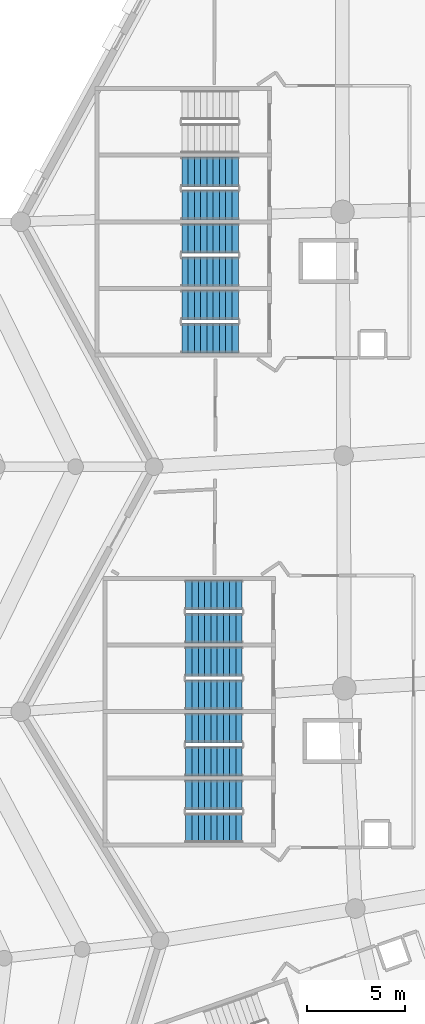
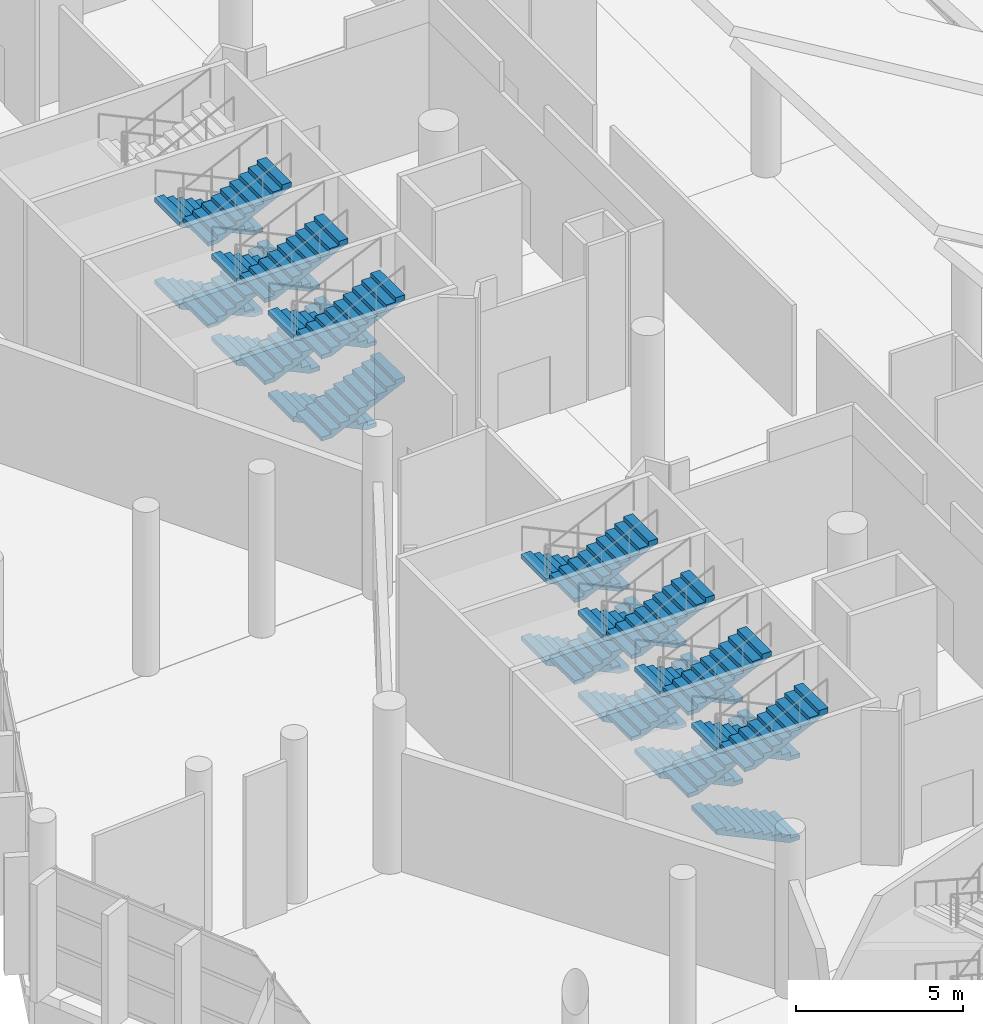
# One storey, part 185 of 249: 27 stair flights, 7 elements without a shape of their own.
"""IFC4 building model written with IfcOpenShell, lengths in metres."""

import ifcopenshell
import ifcopenshell.guid

model = None  # the IFC model being written
_history = None  # IfcOwnerHistory: only IFC2X3 demands one
_inside = {}  # id of a spatial element -> (the spatial element, [elements in it])
_under = {}  # id of a project, library or spatial element -> (it, [spatial elements below it])
_declared = {}  # id of a project -> (the project, [libraries it declares])
_typed = {}  # id of a type object -> (the type object, [elements of that type])
_made_of = {}  # id of a material, layer set ... -> (it, [elements and type objects made of it])


def new_model(schema):
    """Start an empty IFC model of exactly this schema.

    Asked for "IFC4X3", IfcOpenShell would pick the latest addendum, in which some entities
    have other attributes; the version numbers below select the first issue.
    IFC2X3 requires an IfcOwnerHistory on every rooted entity: one is made here for all.
    """
    global model, _history
    if schema == "IFC4X3":
        model = ifcopenshell.file(schema_version=(4, 3, 0, 0))
    else:
        model = ifcopenshell.file(schema=schema)
    _inside.clear()
    _under.clear()
    _declared.clear()
    _typed.clear()
    _made_of.clear()
    _history = None
    if model.schema == "IFC2X3":
        org = make("IfcOrganization", Name="unknown")
        user = make(
            "IfcPersonAndOrganization",
            ThePerson=make("IfcPerson", FamilyName="unknown"),
            TheOrganization=org,
        )
        app = make(
            "IfcApplication",
            ApplicationDeveloper=org,
            Version="unknown",
            ApplicationFullName="unknown",
            ApplicationIdentifier="unknown",
        )
        _history = make(
            "IfcOwnerHistory",
            OwningUser=user,
            OwningApplication=app,
            ChangeAction="ADDED",
            CreationDate=0,
        )
    return model


def make(cls, **values):
    """One entity of the class cls with the attributes given. An attribute that is None is left unset."""
    return model.create_entity(
        cls, **{name: value for name, value in values.items() if value is not None}
    )


def rooted(cls, **values):
    """An entity with a GlobalId (a new one), such as an element, a storey or a relation."""
    return make(cls, GlobalId=ifcopenshell.guid.new(), OwnerHistory=_history, **values)


def si_unit(unit_type, name, prefix=None):
    """IfcSIUnit, for example si_unit("LENGTHUNIT", "METRE", prefix="MILLI")."""
    return make("IfcSIUnit", UnitType=unit_type, Prefix=prefix, Name=name)


def assignment(units):
    """IfcUnitAssignment: the units of a project."""
    return None if units is None else make("IfcUnitAssignment", Units=units)


def point(xyz):
    """IfcCartesianPoint."""
    return None if xyz is None else make("IfcCartesianPoint", Coordinates=xyz)


def direction(xyz):
    """IfcDirection."""
    return None if xyz is None else make("IfcDirection", DirectionRatios=xyz)


def frame(location, z_axis=None, x_axis=None):
    """IfcAxis2Placement3D, a coordinate frame: its origin and axes. An axis left out is left unset."""
    return make(
        "IfcAxis2Placement3D",
        Location=point(location),
        Axis=direction(z_axis),
        RefDirection=direction(x_axis),
    )


def origin():
    """The frame at (0, 0, 0) with its axes left unset."""
    return frame((0.0, 0.0, 0.0))


def place(relative_to, where):
    """IfcLocalPlacement: puts the frame where relative to a parent placement (None: the world)."""
    return make(
        "IfcLocalPlacement", PlacementRelTo=relative_to, RelativePlacement=where
    )


def context(
    kind, dimensions, precision=None, world=None, true_north=None, identifier=None
):
    """IfcGeometricRepresentationContext, for example the 3D "Model" context."""
    return make(
        "IfcGeometricRepresentationContext",
        ContextIdentifier=identifier,
        ContextType=kind,
        CoordinateSpaceDimension=dimensions,
        Precision=precision,
        WorldCoordinateSystem=world,
        TrueNorth=true_north,
    )


def subcontext(parent, identifier, kind, view, scale=None):
    """IfcGeometricRepresentationSubContext, for example "Body" below "Model"."""
    return make(
        "IfcGeometricRepresentationSubContext",
        ContextIdentifier=identifier,
        ContextType=kind,
        ParentContext=parent,
        TargetScale=scale,
        TargetView=view,
    )


def project(units=None, contexts=None):
    """IfcProject with its units and contexts."""
    return rooted(
        "IfcProject",
        Name="project",
        RepresentationContexts=contexts,
        UnitsInContext=assignment(units),
    )


def spatial(cls, under=None, at=None, **own):
    """A site, building, storey or space (cls), placed at a placement, below another one or the project."""
    s = rooted(cls, ObjectPlacement=at, **own)
    if under is not None:
        _under.setdefault(under.id(), (under, []))[1].append(s)
    return s


def polyline(points):
    """IfcPolyline through the points."""
    return make("IfcPolyline", Points=[point(p) for p in points])


def outline(outer, holes=None, kind="AREA"):
    """IfcArbitraryClosedProfileDef: a profile drawn as a closed curve; with holes, ...WithVoids."""
    if holes is None:
        return make("IfcArbitraryClosedProfileDef", ProfileType=kind, OuterCurve=outer)
    return make(
        "IfcArbitraryProfileDefWithVoids",
        ProfileType=kind,
        OuterCurve=outer,
        InnerCurves=holes,
    )


def extrude(swept, where, along, depth):
    """IfcExtrudedAreaSolid: the profile swept, set in the frame where, extruded along a direction by depth."""
    return make(
        "IfcExtrudedAreaSolid",
        SweptArea=swept,
        Position=where,
        ExtrudedDirection=direction(along),
        Depth=depth,
    )


def shape(context_of_items, identifier, shape_type, items):
    """IfcShapeRepresentation: the items that make up one representation, for example the "Body"."""
    return make(
        "IfcShapeRepresentation",
        ContextOfItems=context_of_items,
        RepresentationIdentifier=identifier,
        RepresentationType=shape_type,
        Items=items,
    )


def material(Name=None, Category=None):
    """IfcMaterial."""
    return make("IfcMaterial", Name=Name, Category=Category)


def made_of(thing, what):
    """Note that an element or type object is made of a material, layer set ...; save() writes the relation."""
    if what is not None:
        _made_of.setdefault(what.id(), (what, []))[1].append(thing)
    return thing


def type_object(cls, material=None, **own):
    """A type object (cls), such as IfcWallType, which elements share."""
    return made_of(rooted(cls, **own), material)


def element(
    cls,
    number,
    at=None,
    inside=None,
    cuts=None,
    type_object=None,
    material=None,
    context=None,
    identifier="Body",
    shape_type=None,
    held_by="IfcProductDefinitionShape",
    body=None,
    shapes=None,
    **own,
):
    """One element of the class cls, such as IfcWall. Its Tag is "e" and its number.

    at: its placement. inside: the storey or other place that contains it. cuts: it is an
    opening in that element (IfcRelVoidsElement). A single representation is given by context,
    identifier, shape_type and body (its items); several are given by shapes. held_by: the class
    of the entity that holds the representations. save() writes the other relations.
    """
    e = rooted(cls, Tag="e%d" % number, ObjectPlacement=at, **own)
    if body is not None:
        shapes = [shape(context, identifier, shape_type, body)]
    if shapes is not None:
        e.Representation = make(held_by, Representations=shapes)
    if inside is not None:
        _inside.setdefault(inside.id(), (inside, []))[1].append(e)
    if cuts is not None:
        rooted(
            "IfcRelVoidsElement", RelatingBuildingElement=cuts, RelatedOpeningElement=e
        )
    if type_object is not None:
        _typed.setdefault(type_object.id(), (type_object, []))[1].append(e)
    return made_of(e, material)


def aggregate(whole, parts):
    """IfcRelAggregates: a whole, such as a stair, and the parts it consists of."""
    return rooted("IfcRelAggregates", RelatingObject=whole, RelatedObjects=parts)


def save(model, path):
    """Write the relations noted so far, then the file.

    IfcRelAggregates (storeys below a building ...), IfcRelContainedInSpatialStructure (elements
    in a storey), IfcRelDefinesByType, IfcRelAssociatesMaterial and IfcRelDeclares: one each for
    every whole, place, type object, material and project.
    """
    for whole, parts in _under.values():
        aggregate(whole, parts)
    for where, things in _inside.values():
        rooted(
            "IfcRelContainedInSpatialStructure",
            RelatedElements=things,
            RelatingStructure=where,
        )
    for kind, things in _typed.values():
        rooted("IfcRelDefinesByType", RelatedObjects=things, RelatingType=kind)
    for what, things in _made_of.values():
        rooted("IfcRelAssociatesMaterial", RelatedObjects=things, RelatingMaterial=what)
    for by, libraries in _declared.values():
        rooted("IfcRelDeclares", RelatingContext=by, RelatedDefinitions=libraries)
    model.write(path)


model = new_model("IFC4")

# Units and contexts
model_context = context("Model", 3, precision=1e-05, world=origin(), true_north=direction((0.0, 1.0)))
body_context = subcontext(model_context, "Body", "Model", "MODEL_VIEW")
ifc_project = project(units=[si_unit("LENGTHUNIT", "METRE"), si_unit("AREAUNIT", "SQUARE_METRE"), si_unit("VOLUMEUNIT", "CUBIC_METRE"), si_unit("PLANEANGLEUNIT", "RADIAN"), si_unit("MASSUNIT", "GRAM", prefix="KILO")], contexts=[model_context])

# Site, building, storey
site_placement = place(None, origin())
site = spatial("IfcSite", under=ifc_project, at=site_placement, CompositionType="ELEMENT")
building_placement = place(site_placement, origin())
building = spatial("IfcBuilding", under=site, at=building_placement, Name="Meseta Stadium", CompositionType="ELEMENT")
storey_placement = place(building_placement, frame((0.0, 0.0, 12.0)))
storey = spatial("IfcBuildingStorey", under=building, at=storey_placement, Name="L02", CompositionType="ELEMENT", Elevation=12.0)

# Stair, stair flights
ifc_material_1 = material(Name="Concrete C40/50", Category="concrete")
stair_type = type_object("IfcStairType", Name="Exit stair 4 flights 150 mm risers", PredefinedType="HALF_TURN_STAIR", material=ifc_material_1)
stair_1_placement = place(storey_placement, origin())
stair_1 = element("IfcStair", 1, at=stair_1_placement, inside=storey, type_object=stair_type, Name="ST70 L02", PredefinedType="HALF_TURN_STAIR")
ifc_material_2 = material(Name="Concrete C40/50", Category="concrete")
stair_flight_type = type_object("IfcStairFlightType", Name="Exit stair flight 150 mm risers, 4 per storey", PredefinedType="STRAIGHT", material=ifc_material_2)
stair_flight_1_placement = place(storey_placement, frame((-90.300048828125, -16.199951171875, 0.0), z_axis=(0.0, 0.0, 1.0), x_axis=(-1.0, 0.0, 0.0)))
stair_flight_1 = element("IfcStairFlight", 2, at=stair_flight_1_placement, type_object=stair_flight_type, Name="ST70 L02 flight 1", NumberOfRisers=10, NumberOfTreads=9, PredefinedType="STRAIGHT", RiserHeight=0.15, TreadLength=0.32, context=body_context, shape_type="SweptSolid", body=[
    extrude(outline(polyline([(0.0, 0.0), (0.0, 0.14990234375), (0.320068359375, 0.14990234375), (0.320068359375, 0.300048828125), (0.639892578125, 0.300048828125), (0.639892578125, 0.449951171875), (0.9599609375, 0.449951171875), (0.9599609375, 0.60009765625), (1.280029296875, 0.60009765625), (1.280029296875, 0.75), (1.60009765625, 0.75), (1.60009765625, 0.89990234375), (1.919921875, 0.89990234375), (1.919921875, 1.050048828125), (2.239990234375, 1.050048828125), (2.239990234375, 1.199951171875), (2.56005859375, 1.199951171875), (2.56005859375, 1.35009765625), (2.8798828125, 1.35009765625), (2.8798828125, 1.184326171875), (0.353271484375, 0.0), (0.0, 0.0)])), frame((0.0, 0.75, 0.0), z_axis=(0.0, -1.0, 0.0), x_axis=(1.0, 0.0, 0.0)), (0.0, 0.0, 1.0), 1.5),
])
stair_flight_2_placement = place(storey_placement, frame((-93.179931640625, -17.89990234375, 1.5), z_axis=(0.0, 0.0, 1.0), x_axis=(1.0, 0.0, 0.0)))
stair_flight_2 = element("IfcStairFlight", 3, at=stair_flight_2_placement, type_object=stair_flight_type, Name="ST70 L02 flight 2", NumberOfRisers=10, NumberOfTreads=9, PredefinedType="STRAIGHT", RiserHeight=0.15, TreadLength=0.32, context=body_context, shape_type="SweptSolid", body=[
    extrude(outline(polyline([(0.0, 0.0), (0.0, 0.14990234375), (0.320068359375, 0.14990234375), (0.320068359375, 0.300048828125), (0.639892578125, 0.300048828125), (0.639892578125, 0.449951171875), (0.9599609375, 0.449951171875), (0.9599609375, 0.60009765625), (1.280029296875, 0.60009765625), (1.280029296875, 0.75), (1.60009765625, 0.75), (1.60009765625, 0.89990234375), (1.919921875, 0.89990234375), (1.919921875, 1.050048828125), (2.239990234375, 1.050048828125), (2.239990234375, 1.199951171875), (2.56005859375, 1.199951171875), (2.56005859375, 1.35009765625), (2.8798828125, 1.35009765625), (2.8798828125, 1.184326171875), (0.353271484375, 0.0), (0.0, 0.0)])), frame((0.0, 0.75, 0.0), z_axis=(0.0, -1.0, 0.0), x_axis=(1.0, 0.0, 0.0)), (0.0, 0.0, 1.0), 1.5),
])
stair_flight_3_placement = place(storey_placement, frame((-90.300048828125, -16.199951171875, 3.0), z_axis=(0.0, 0.0, 1.0), x_axis=(-1.0, 0.0, 0.0)))
stair_flight_3 = element("IfcStairFlight", 4, at=stair_flight_3_placement, type_object=stair_flight_type, Name="ST70 L02 flight 3", NumberOfRisers=10, NumberOfTreads=9, PredefinedType="STRAIGHT", RiserHeight=0.15, TreadLength=0.32, context=body_context, shape_type="SweptSolid", body=[
    extrude(outline(polyline([(0.0, 0.0), (0.0, 0.14990234375), (0.320068359375, 0.14990234375), (0.320068359375, 0.300048828125), (0.639892578125, 0.300048828125), (0.639892578125, 0.449951171875), (0.9599609375, 0.449951171875), (0.9599609375, 0.60009765625), (1.280029296875, 0.60009765625), (1.280029296875, 0.75), (1.60009765625, 0.75), (1.60009765625, 0.89990234375), (1.919921875, 0.89990234375), (1.919921875, 1.050048828125), (2.239990234375, 1.050048828125), (2.239990234375, 1.199951171875), (2.56005859375, 1.199951171875), (2.56005859375, 1.35009765625), (2.8798828125, 1.35009765625), (2.8798828125, 1.184326171875), (0.353271484375, 0.0), (0.0, 0.0)])), frame((0.0, 0.75, 0.0), z_axis=(0.0, -1.0, 0.0), x_axis=(1.0, 0.0, 0.0)), (0.0, 0.0, 1.0), 1.5),
])
stair_flight_4_placement = place(storey_placement, frame((-93.179931640625, -17.89990234375, 4.5), z_axis=(0.0, 0.0, 1.0), x_axis=(1.0, 0.0, 0.0)))
stair_flight_4 = element("IfcStairFlight", 5, at=stair_flight_4_placement, type_object=stair_flight_type, Name="ST70 L02 flight 4", NumberOfRisers=10, NumberOfTreads=9, PredefinedType="STRAIGHT", RiserHeight=0.15, TreadLength=0.32, context=body_context, shape_type="SweptSolid", body=[
    extrude(outline(polyline([(0.0, 0.0), (0.0, 0.14990234375), (0.320068359375, 0.14990234375), (0.320068359375, 0.300048828125), (0.639892578125, 0.300048828125), (0.639892578125, 0.449951171875), (0.9599609375, 0.449951171875), (0.9599609375, 0.60009765625), (1.280029296875, 0.60009765625), (1.280029296875, 0.75), (1.60009765625, 0.75), (1.60009765625, 0.89990234375), (1.919921875, 0.89990234375), (1.919921875, 1.050048828125), (2.239990234375, 1.050048828125), (2.239990234375, 1.199951171875), (2.56005859375, 1.199951171875), (2.56005859375, 1.35009765625), (2.8798828125, 1.35009765625), (2.8798828125, 1.184326171875), (0.353271484375, 0.0), (0.0, 0.0)])), frame((0.0, 0.75, 0.0), z_axis=(0.0, -1.0, 0.0), x_axis=(1.0, 0.0, 0.0)), (0.0, 0.0, 1.0), 1.5),
])
aggregate(stair_1, [stair_flight_1, stair_flight_2, stair_flight_3, stair_flight_4])

stair_2_placement = place(storey_placement, origin())
stair_2 = element("IfcStair", 6, at=stair_2_placement, inside=storey, type_object=stair_type, Name="ST71 L02", PredefinedType="HALF_TURN_STAIR")
stair_flight_5_placement = place(storey_placement, frame((-90.300048828125, -19.60009765625, 0.0), z_axis=(0.0, 0.0, 1.0), x_axis=(-1.0, 0.0, 0.0)))
stair_flight_5 = element("IfcStairFlight", 7, at=stair_flight_5_placement, type_object=stair_flight_type, Name="ST71 L02 flight 1", NumberOfRisers=10, NumberOfTreads=9, PredefinedType="STRAIGHT", RiserHeight=0.15, TreadLength=0.32, context=body_context, shape_type="SweptSolid", body=[
    extrude(outline(polyline([(0.0, 0.0), (0.0, 0.14990234375), (0.320068359375, 0.14990234375), (0.320068359375, 0.300048828125), (0.639892578125, 0.300048828125), (0.639892578125, 0.449951171875), (0.9599609375, 0.449951171875), (0.9599609375, 0.60009765625), (1.280029296875, 0.60009765625), (1.280029296875, 0.75), (1.60009765625, 0.75), (1.60009765625, 0.89990234375), (1.919921875, 0.89990234375), (1.919921875, 1.050048828125), (2.239990234375, 1.050048828125), (2.239990234375, 1.199951171875), (2.56005859375, 1.199951171875), (2.56005859375, 1.35009765625), (2.8798828125, 1.35009765625), (2.8798828125, 1.184326171875), (0.353271484375, 0.0), (0.0, 0.0)])), frame((0.0, 0.75, 0.0), z_axis=(0.0, -1.0, 0.0), x_axis=(1.0, 0.0, 0.0)), (0.0, 0.0, 1.0), 1.5),
])
stair_flight_6_placement = place(storey_placement, frame((-93.179931640625, -21.300048828125, 1.5), z_axis=(0.0, 0.0, 1.0), x_axis=(1.0, 0.0, 0.0)))
stair_flight_6 = element("IfcStairFlight", 8, at=stair_flight_6_placement, type_object=stair_flight_type, Name="ST71 L02 flight 2", NumberOfRisers=10, NumberOfTreads=9, PredefinedType="STRAIGHT", RiserHeight=0.15, TreadLength=0.32, context=body_context, shape_type="SweptSolid", body=[
    extrude(outline(polyline([(0.0, 0.0), (0.0, 0.14990234375), (0.320068359375, 0.14990234375), (0.320068359375, 0.300048828125), (0.639892578125, 0.300048828125), (0.639892578125, 0.449951171875), (0.9599609375, 0.449951171875), (0.9599609375, 0.60009765625), (1.280029296875, 0.60009765625), (1.280029296875, 0.75), (1.60009765625, 0.75), (1.60009765625, 0.89990234375), (1.919921875, 0.89990234375), (1.919921875, 1.050048828125), (2.239990234375, 1.050048828125), (2.239990234375, 1.199951171875), (2.56005859375, 1.199951171875), (2.56005859375, 1.35009765625), (2.8798828125, 1.35009765625), (2.8798828125, 1.184326171875), (0.353271484375, 0.0), (0.0, 0.0)])), frame((0.0, 0.75, 0.0), z_axis=(0.0, -1.0, 0.0), x_axis=(1.0, 0.0, 0.0)), (0.0, 0.0, 1.0), 1.5),
])
stair_flight_7_placement = place(storey_placement, frame((-90.300048828125, -19.60009765625, 3.0), z_axis=(0.0, 0.0, 1.0), x_axis=(-1.0, 0.0, 0.0)))
stair_flight_7 = element("IfcStairFlight", 9, at=stair_flight_7_placement, type_object=stair_flight_type, Name="ST71 L02 flight 3", NumberOfRisers=10, NumberOfTreads=9, PredefinedType="STRAIGHT", RiserHeight=0.15, TreadLength=0.32, context=body_context, shape_type="SweptSolid", body=[
    extrude(outline(polyline([(0.0, 0.0), (0.0, 0.14990234375), (0.320068359375, 0.14990234375), (0.320068359375, 0.300048828125), (0.639892578125, 0.300048828125), (0.639892578125, 0.449951171875), (0.9599609375, 0.449951171875), (0.9599609375, 0.60009765625), (1.280029296875, 0.60009765625), (1.280029296875, 0.75), (1.60009765625, 0.75), (1.60009765625, 0.89990234375), (1.919921875, 0.89990234375), (1.919921875, 1.050048828125), (2.239990234375, 1.050048828125), (2.239990234375, 1.199951171875), (2.56005859375, 1.199951171875), (2.56005859375, 1.35009765625), (2.8798828125, 1.35009765625), (2.8798828125, 1.184326171875), (0.353271484375, 0.0), (0.0, 0.0)])), frame((0.0, 0.75, 0.0), z_axis=(0.0, -1.0, 0.0), x_axis=(1.0, 0.0, 0.0)), (0.0, 0.0, 1.0), 1.5),
])
stair_flight_8_placement = place(storey_placement, frame((-93.179931640625, -21.300048828125, 4.5), z_axis=(0.0, 0.0, 1.0), x_axis=(1.0, 0.0, 0.0)))
stair_flight_8 = element("IfcStairFlight", 10, at=stair_flight_8_placement, type_object=stair_flight_type, Name="ST71 L02 flight 4", NumberOfRisers=10, NumberOfTreads=9, PredefinedType="STRAIGHT", RiserHeight=0.15, TreadLength=0.32, context=body_context, shape_type="SweptSolid", body=[
    extrude(outline(polyline([(0.0, 0.0), (0.0, 0.14990234375), (0.320068359375, 0.14990234375), (0.320068359375, 0.300048828125), (0.639892578125, 0.300048828125), (0.639892578125, 0.449951171875), (0.9599609375, 0.449951171875), (0.9599609375, 0.60009765625), (1.280029296875, 0.60009765625), (1.280029296875, 0.75), (1.60009765625, 0.75), (1.60009765625, 0.89990234375), (1.919921875, 0.89990234375), (1.919921875, 1.050048828125), (2.239990234375, 1.050048828125), (2.239990234375, 1.199951171875), (2.56005859375, 1.199951171875), (2.56005859375, 1.35009765625), (2.8798828125, 1.35009765625), (2.8798828125, 1.184326171875), (0.353271484375, 0.0), (0.0, 0.0)])), frame((0.0, 0.75, 0.0), z_axis=(0.0, -1.0, 0.0), x_axis=(1.0, 0.0, 0.0)), (0.0, 0.0, 1.0), 1.5),
])
aggregate(stair_2, [stair_flight_5, stair_flight_6, stair_flight_7, stair_flight_8])

stair_3_placement = place(storey_placement, origin())
stair_3 = element("IfcStair", 11, at=stair_3_placement, inside=storey, type_object=stair_type, Name="ST72 L02", PredefinedType="HALF_TURN_STAIR")
stair_flight_9_placement = place(storey_placement, frame((-90.300048828125, -23.0, 0.0), z_axis=(0.0, 0.0, 1.0), x_axis=(-1.0, 0.0, 0.0)))
stair_flight_9 = element("IfcStairFlight", 12, at=stair_flight_9_placement, type_object=stair_flight_type, Name="ST72 L02 flight 1", NumberOfRisers=10, NumberOfTreads=9, PredefinedType="STRAIGHT", RiserHeight=0.15, TreadLength=0.32, context=body_context, shape_type="SweptSolid", body=[
    extrude(outline(polyline([(0.0, 0.0), (0.0, 0.14990234375), (0.320068359375, 0.14990234375), (0.320068359375, 0.300048828125), (0.639892578125, 0.300048828125), (0.639892578125, 0.449951171875), (0.9599609375, 0.449951171875), (0.9599609375, 0.60009765625), (1.280029296875, 0.60009765625), (1.280029296875, 0.75), (1.60009765625, 0.75), (1.60009765625, 0.89990234375), (1.919921875, 0.89990234375), (1.919921875, 1.050048828125), (2.239990234375, 1.050048828125), (2.239990234375, 1.199951171875), (2.56005859375, 1.199951171875), (2.56005859375, 1.35009765625), (2.8798828125, 1.35009765625), (2.8798828125, 1.184326171875), (0.353271484375, 0.0), (0.0, 0.0)])), frame((0.0, 0.75, 0.0), z_axis=(0.0, -1.0, 0.0), x_axis=(1.0, 0.0, 0.0)), (0.0, 0.0, 1.0), 1.5),
])
stair_flight_10_placement = place(storey_placement, frame((-93.179931640625, -24.699951171875, 1.5), z_axis=(0.0, 0.0, 1.0), x_axis=(1.0, 0.0, 0.0)))
stair_flight_10 = element("IfcStairFlight", 13, at=stair_flight_10_placement, type_object=stair_flight_type, Name="ST72 L02 flight 2", NumberOfRisers=10, NumberOfTreads=9, PredefinedType="STRAIGHT", RiserHeight=0.15, TreadLength=0.32, context=body_context, shape_type="SweptSolid", body=[
    extrude(outline(polyline([(0.0, 0.0), (0.0, 0.14990234375), (0.320068359375, 0.14990234375), (0.320068359375, 0.300048828125), (0.639892578125, 0.300048828125), (0.639892578125, 0.449951171875), (0.9599609375, 0.449951171875), (0.9599609375, 0.60009765625), (1.280029296875, 0.60009765625), (1.280029296875, 0.75), (1.60009765625, 0.75), (1.60009765625, 0.89990234375), (1.919921875, 0.89990234375), (1.919921875, 1.050048828125), (2.239990234375, 1.050048828125), (2.239990234375, 1.199951171875), (2.56005859375, 1.199951171875), (2.56005859375, 1.35009765625), (2.8798828125, 1.35009765625), (2.8798828125, 1.184326171875), (0.353271484375, 0.0), (0.0, 0.0)])), frame((0.0, 0.75, 0.0), z_axis=(0.0, -1.0, 0.0), x_axis=(1.0, 0.0, 0.0)), (0.0, 0.0, 1.0), 1.5),
])
stair_flight_11_placement = place(storey_placement, frame((-90.300048828125, -23.0, 3.0), z_axis=(0.0, 0.0, 1.0), x_axis=(-1.0, 0.0, 0.0)))
stair_flight_11 = element("IfcStairFlight", 14, at=stair_flight_11_placement, type_object=stair_flight_type, Name="ST72 L02 flight 3", NumberOfRisers=10, NumberOfTreads=9, PredefinedType="STRAIGHT", RiserHeight=0.15, TreadLength=0.32, context=body_context, shape_type="SweptSolid", body=[
    extrude(outline(polyline([(0.0, 0.0), (0.0, 0.14990234375), (0.320068359375, 0.14990234375), (0.320068359375, 0.300048828125), (0.639892578125, 0.300048828125), (0.639892578125, 0.449951171875), (0.9599609375, 0.449951171875), (0.9599609375, 0.60009765625), (1.280029296875, 0.60009765625), (1.280029296875, 0.75), (1.60009765625, 0.75), (1.60009765625, 0.89990234375), (1.919921875, 0.89990234375), (1.919921875, 1.050048828125), (2.239990234375, 1.050048828125), (2.239990234375, 1.199951171875), (2.56005859375, 1.199951171875), (2.56005859375, 1.35009765625), (2.8798828125, 1.35009765625), (2.8798828125, 1.184326171875), (0.353271484375, 0.0), (0.0, 0.0)])), frame((0.0, 0.75, 0.0), z_axis=(0.0, -1.0, 0.0), x_axis=(1.0, 0.0, 0.0)), (0.0, 0.0, 1.0), 1.5),
])
stair_flight_12_placement = place(storey_placement, frame((-93.179931640625, -24.699951171875, 4.5), z_axis=(0.0, 0.0, 1.0), x_axis=(1.0, 0.0, 0.0)))
stair_flight_12 = element("IfcStairFlight", 15, at=stair_flight_12_placement, type_object=stair_flight_type, Name="ST72 L02 flight 4", NumberOfRisers=10, NumberOfTreads=9, PredefinedType="STRAIGHT", RiserHeight=0.15, TreadLength=0.32, context=body_context, shape_type="SweptSolid", body=[
    extrude(outline(polyline([(0.0, 0.0), (0.0, 0.14990234375), (0.320068359375, 0.14990234375), (0.320068359375, 0.300048828125), (0.639892578125, 0.300048828125), (0.639892578125, 0.449951171875), (0.9599609375, 0.449951171875), (0.9599609375, 0.60009765625), (1.280029296875, 0.60009765625), (1.280029296875, 0.75), (1.60009765625, 0.75), (1.60009765625, 0.89990234375), (1.919921875, 0.89990234375), (1.919921875, 1.050048828125), (2.239990234375, 1.050048828125), (2.239990234375, 1.199951171875), (2.56005859375, 1.199951171875), (2.56005859375, 1.35009765625), (2.8798828125, 1.35009765625), (2.8798828125, 1.184326171875), (0.353271484375, 0.0), (0.0, 0.0)])), frame((0.0, 0.75, 0.0), z_axis=(0.0, -1.0, 0.0), x_axis=(1.0, 0.0, 0.0)), (0.0, 0.0, 1.0), 1.5),
])
aggregate(stair_3, [stair_flight_9, stair_flight_10, stair_flight_11, stair_flight_12])

stair_4_placement = place(storey_placement, origin())
stair_4 = element("IfcStair", 16, at=stair_4_placement, inside=storey, type_object=stair_type, Name="ST73 L02", PredefinedType="HALF_TURN_STAIR")
stair_flight_13_placement = place(storey_placement, frame((-90.10009765625, -37.800048828125, 0.0), z_axis=(0.0, 0.0, 1.0), x_axis=(-1.0, 0.0, 0.0)))
stair_flight_13 = element("IfcStairFlight", 17, at=stair_flight_13_placement, type_object=stair_flight_type, Name="ST73 L02 flight 1", NumberOfRisers=10, NumberOfTreads=9, PredefinedType="STRAIGHT", RiserHeight=0.15, TreadLength=0.32, context=body_context, shape_type="SweptSolid", body=[
    extrude(outline(polyline([(0.0, 0.0), (0.0, 0.14990234375), (0.320068359375, 0.14990234375), (0.320068359375, 0.300048828125), (0.639892578125, 0.300048828125), (0.639892578125, 0.449951171875), (0.9599609375, 0.449951171875), (0.9599609375, 0.60009765625), (1.280029296875, 0.60009765625), (1.280029296875, 0.75), (1.60009765625, 0.75), (1.60009765625, 0.89990234375), (1.919921875, 0.89990234375), (1.919921875, 1.050048828125), (2.239990234375, 1.050048828125), (2.239990234375, 1.199951171875), (2.56005859375, 1.199951171875), (2.56005859375, 1.35009765625), (2.8798828125, 1.35009765625), (2.8798828125, 1.184326171875), (0.353271484375, 0.0), (0.0, 0.0)])), frame((0.0, 0.75, 0.0), z_axis=(0.0, -1.0, 0.0), x_axis=(1.0, 0.0, 0.0)), (0.0, 0.0, 1.0), 1.5),
])
stair_flight_14_placement = place(storey_placement, frame((-92.97998046875, -39.5, 1.5), z_axis=(0.0, 0.0, 1.0), x_axis=(1.0, 0.0, 0.0)))
stair_flight_14 = element("IfcStairFlight", 18, at=stair_flight_14_placement, type_object=stair_flight_type, Name="ST73 L02 flight 2", NumberOfRisers=10, NumberOfTreads=9, PredefinedType="STRAIGHT", RiserHeight=0.15, TreadLength=0.32, context=body_context, shape_type="SweptSolid", body=[
    extrude(outline(polyline([(0.0, 0.0), (0.0, 0.14990234375), (0.320068359375, 0.14990234375), (0.320068359375, 0.300048828125), (0.639892578125, 0.300048828125), (0.639892578125, 0.449951171875), (0.9599609375, 0.449951171875), (0.9599609375, 0.60009765625), (1.280029296875, 0.60009765625), (1.280029296875, 0.75), (1.60009765625, 0.75), (1.60009765625, 0.89990234375), (1.919921875, 0.89990234375), (1.919921875, 1.050048828125), (2.239990234375, 1.050048828125), (2.239990234375, 1.199951171875), (2.56005859375, 1.199951171875), (2.56005859375, 1.35009765625), (2.8798828125, 1.35009765625), (2.8798828125, 1.184326171875), (0.353271484375, 0.0), (0.0, 0.0)])), frame((0.0, 0.75, 0.0), z_axis=(0.0, -1.0, 0.0), x_axis=(1.0, 0.0, 0.0)), (0.0, 0.0, 1.0), 1.5),
])
stair_flight_15_placement = place(storey_placement, frame((-90.10009765625, -37.800048828125, 3.0), z_axis=(0.0, 0.0, 1.0), x_axis=(-1.0, 0.0, 0.0)))
stair_flight_15 = element("IfcStairFlight", 19, at=stair_flight_15_placement, type_object=stair_flight_type, Name="ST73 L02 flight 3", NumberOfRisers=10, NumberOfTreads=9, PredefinedType="STRAIGHT", RiserHeight=0.15, TreadLength=0.32, context=body_context, shape_type="SweptSolid", body=[
    extrude(outline(polyline([(0.0, 0.0), (0.0, 0.14990234375), (0.320068359375, 0.14990234375), (0.320068359375, 0.300048828125), (0.639892578125, 0.300048828125), (0.639892578125, 0.449951171875), (0.9599609375, 0.449951171875), (0.9599609375, 0.60009765625), (1.280029296875, 0.60009765625), (1.280029296875, 0.75), (1.60009765625, 0.75), (1.60009765625, 0.89990234375), (1.919921875, 0.89990234375), (1.919921875, 1.050048828125), (2.239990234375, 1.050048828125), (2.239990234375, 1.199951171875), (2.56005859375, 1.199951171875), (2.56005859375, 1.35009765625), (2.8798828125, 1.35009765625), (2.8798828125, 1.184326171875), (0.353271484375, 0.0), (0.0, 0.0)])), frame((0.0, 0.75, 0.0), z_axis=(0.0, -1.0, 0.0), x_axis=(1.0, 0.0, 0.0)), (0.0, 0.0, 1.0), 1.5),
])
stair_flight_16_placement = place(storey_placement, frame((-92.97998046875, -39.5, 4.5), z_axis=(0.0, 0.0, 1.0), x_axis=(1.0, 0.0, 0.0)))
stair_flight_16 = element("IfcStairFlight", 20, at=stair_flight_16_placement, type_object=stair_flight_type, Name="ST73 L02 flight 4", NumberOfRisers=10, NumberOfTreads=9, PredefinedType="STRAIGHT", RiserHeight=0.15, TreadLength=0.32, context=body_context, shape_type="SweptSolid", body=[
    extrude(outline(polyline([(0.0, 0.0), (0.0, 0.14990234375), (0.320068359375, 0.14990234375), (0.320068359375, 0.300048828125), (0.639892578125, 0.300048828125), (0.639892578125, 0.449951171875), (0.9599609375, 0.449951171875), (0.9599609375, 0.60009765625), (1.280029296875, 0.60009765625), (1.280029296875, 0.75), (1.60009765625, 0.75), (1.60009765625, 0.89990234375), (1.919921875, 0.89990234375), (1.919921875, 1.050048828125), (2.239990234375, 1.050048828125), (2.239990234375, 1.199951171875), (2.56005859375, 1.199951171875), (2.56005859375, 1.35009765625), (2.8798828125, 1.35009765625), (2.8798828125, 1.184326171875), (0.353271484375, 0.0), (0.0, 0.0)])), frame((0.0, 0.75, 0.0), z_axis=(0.0, -1.0, 0.0), x_axis=(1.0, 0.0, 0.0)), (0.0, 0.0, 1.0), 1.5),
])
aggregate(stair_4, [stair_flight_13, stair_flight_14, stair_flight_15, stair_flight_16])

stair_5_placement = place(storey_placement, origin())
stair_5 = element("IfcStair", 21, at=stair_5_placement, inside=storey, type_object=stair_type, Name="ST74 L02", PredefinedType="HALF_TURN_STAIR")
stair_flight_17_placement = place(storey_placement, frame((-90.10009765625, -41.199951171875, 0.0), z_axis=(0.0, 0.0, 1.0), x_axis=(-1.0, 0.0, 0.0)))
stair_flight_17 = element("IfcStairFlight", 22, at=stair_flight_17_placement, type_object=stair_flight_type, Name="ST74 L02 flight 1", NumberOfRisers=10, NumberOfTreads=9, PredefinedType="STRAIGHT", RiserHeight=0.15, TreadLength=0.32, context=body_context, shape_type="SweptSolid", body=[
    extrude(outline(polyline([(0.0, 0.0), (0.0, 0.14990234375), (0.320068359375, 0.14990234375), (0.320068359375, 0.300048828125), (0.639892578125, 0.300048828125), (0.639892578125, 0.449951171875), (0.9599609375, 0.449951171875), (0.9599609375, 0.60009765625), (1.280029296875, 0.60009765625), (1.280029296875, 0.75), (1.60009765625, 0.75), (1.60009765625, 0.89990234375), (1.919921875, 0.89990234375), (1.919921875, 1.050048828125), (2.239990234375, 1.050048828125), (2.239990234375, 1.199951171875), (2.56005859375, 1.199951171875), (2.56005859375, 1.35009765625), (2.8798828125, 1.35009765625), (2.8798828125, 1.184326171875), (0.353271484375, 0.0), (0.0, 0.0)])), frame((0.0, 0.75, 0.0), z_axis=(0.0, -1.0, 0.0), x_axis=(1.0, 0.0, 0.0)), (0.0, 0.0, 1.0), 1.5),
])
stair_flight_18_placement = place(storey_placement, frame((-92.97998046875, -42.89990234375, 1.5), z_axis=(0.0, 0.0, 1.0), x_axis=(1.0, 0.0, 0.0)))
stair_flight_18 = element("IfcStairFlight", 23, at=stair_flight_18_placement, type_object=stair_flight_type, Name="ST74 L02 flight 2", NumberOfRisers=10, NumberOfTreads=9, PredefinedType="STRAIGHT", RiserHeight=0.15, TreadLength=0.32, context=body_context, shape_type="SweptSolid", body=[
    extrude(outline(polyline([(0.0, 0.0), (0.0, 0.14990234375), (0.320068359375, 0.14990234375), (0.320068359375, 0.300048828125), (0.639892578125, 0.300048828125), (0.639892578125, 0.449951171875), (0.9599609375, 0.449951171875), (0.9599609375, 0.60009765625), (1.280029296875, 0.60009765625), (1.280029296875, 0.75), (1.60009765625, 0.75), (1.60009765625, 0.89990234375), (1.919921875, 0.89990234375), (1.919921875, 1.050048828125), (2.239990234375, 1.050048828125), (2.239990234375, 1.199951171875), (2.56005859375, 1.199951171875), (2.56005859375, 1.35009765625), (2.8798828125, 1.35009765625), (2.8798828125, 1.184326171875), (0.353271484375, 0.0), (0.0, 0.0)])), frame((0.0, 0.75, 0.0), z_axis=(0.0, -1.0, 0.0), x_axis=(1.0, 0.0, 0.0)), (0.0, 0.0, 1.0), 1.5),
])
stair_flight_19_placement = place(storey_placement, frame((-90.10009765625, -41.199951171875, 3.0), z_axis=(0.0, 0.0, 1.0), x_axis=(-1.0, 0.0, 0.0)))
stair_flight_19 = element("IfcStairFlight", 24, at=stair_flight_19_placement, type_object=stair_flight_type, Name="ST74 L02 flight 3", NumberOfRisers=10, NumberOfTreads=9, PredefinedType="STRAIGHT", RiserHeight=0.15, TreadLength=0.32, context=body_context, shape_type="SweptSolid", body=[
    extrude(outline(polyline([(0.0, 0.0), (0.0, 0.14990234375), (0.320068359375, 0.14990234375), (0.320068359375, 0.300048828125), (0.639892578125, 0.300048828125), (0.639892578125, 0.449951171875), (0.9599609375, 0.449951171875), (0.9599609375, 0.60009765625), (1.280029296875, 0.60009765625), (1.280029296875, 0.75), (1.60009765625, 0.75), (1.60009765625, 0.89990234375), (1.919921875, 0.89990234375), (1.919921875, 1.050048828125), (2.239990234375, 1.050048828125), (2.239990234375, 1.199951171875), (2.56005859375, 1.199951171875), (2.56005859375, 1.35009765625), (2.8798828125, 1.35009765625), (2.8798828125, 1.184326171875), (0.353271484375, 0.0), (0.0, 0.0)])), frame((0.0, 0.75, 0.0), z_axis=(0.0, -1.0, 0.0), x_axis=(1.0, 0.0, 0.0)), (0.0, 0.0, 1.0), 1.5),
])
stair_flight_20_placement = place(storey_placement, frame((-92.97998046875, -42.89990234375, 4.5), z_axis=(0.0, 0.0, 1.0), x_axis=(1.0, 0.0, 0.0)))
stair_flight_20 = element("IfcStairFlight", 25, at=stair_flight_20_placement, type_object=stair_flight_type, Name="ST74 L02 flight 4", NumberOfRisers=10, NumberOfTreads=9, PredefinedType="STRAIGHT", RiserHeight=0.15, TreadLength=0.32, context=body_context, shape_type="SweptSolid", body=[
    extrude(outline(polyline([(0.0, 0.0), (0.0, 0.14990234375), (0.320068359375, 0.14990234375), (0.320068359375, 0.300048828125), (0.639892578125, 0.300048828125), (0.639892578125, 0.449951171875), (0.9599609375, 0.449951171875), (0.9599609375, 0.60009765625), (1.280029296875, 0.60009765625), (1.280029296875, 0.75), (1.60009765625, 0.75), (1.60009765625, 0.89990234375), (1.919921875, 0.89990234375), (1.919921875, 1.050048828125), (2.239990234375, 1.050048828125), (2.239990234375, 1.199951171875), (2.56005859375, 1.199951171875), (2.56005859375, 1.35009765625), (2.8798828125, 1.35009765625), (2.8798828125, 1.184326171875), (0.353271484375, 0.0), (0.0, 0.0)])), frame((0.0, 0.75, 0.0), z_axis=(0.0, -1.0, 0.0), x_axis=(1.0, 0.0, 0.0)), (0.0, 0.0, 1.0), 1.5),
])
aggregate(stair_5, [stair_flight_17, stair_flight_18, stair_flight_19, stair_flight_20])

stair_6_placement = place(storey_placement, origin())
stair_6 = element("IfcStair", 26, at=stair_6_placement, inside=storey, type_object=stair_type, Name="ST75 L02", PredefinedType="HALF_TURN_STAIR")
stair_flight_21_placement = place(storey_placement, frame((-90.10009765625, -44.60009765625, 0.0), z_axis=(0.0, 0.0, 1.0), x_axis=(-1.0, 0.0, 0.0)))
stair_flight_21 = element("IfcStairFlight", 27, at=stair_flight_21_placement, type_object=stair_flight_type, Name="ST75 L02 flight 1", NumberOfRisers=10, NumberOfTreads=9, PredefinedType="STRAIGHT", RiserHeight=0.15, TreadLength=0.32, context=body_context, shape_type="SweptSolid", body=[
    extrude(outline(polyline([(0.0, 0.0), (0.0, 0.14990234375), (0.320068359375, 0.14990234375), (0.320068359375, 0.300048828125), (0.639892578125, 0.300048828125), (0.639892578125, 0.449951171875), (0.9599609375, 0.449951171875), (0.9599609375, 0.60009765625), (1.280029296875, 0.60009765625), (1.280029296875, 0.75), (1.60009765625, 0.75), (1.60009765625, 0.89990234375), (1.919921875, 0.89990234375), (1.919921875, 1.050048828125), (2.239990234375, 1.050048828125), (2.239990234375, 1.199951171875), (2.56005859375, 1.199951171875), (2.56005859375, 1.35009765625), (2.8798828125, 1.35009765625), (2.8798828125, 1.184326171875), (0.353271484375, 0.0), (0.0, 0.0)])), frame((0.0, 0.75, 0.0), z_axis=(0.0, -1.0, 0.0), x_axis=(1.0, 0.0, 0.0)), (0.0, 0.0, 1.0), 1.5),
])
stair_flight_22_placement = place(storey_placement, frame((-92.97998046875, -46.300048828125, 1.5), z_axis=(0.0, 0.0, 1.0), x_axis=(1.0, 0.0, 0.0)))
stair_flight_22 = element("IfcStairFlight", 28, at=stair_flight_22_placement, type_object=stair_flight_type, Name="ST75 L02 flight 2", NumberOfRisers=10, NumberOfTreads=9, PredefinedType="STRAIGHT", RiserHeight=0.15, TreadLength=0.32, context=body_context, shape_type="SweptSolid", body=[
    extrude(outline(polyline([(0.0, 0.0), (0.0, 0.14990234375), (0.320068359375, 0.14990234375), (0.320068359375, 0.300048828125), (0.639892578125, 0.300048828125), (0.639892578125, 0.449951171875), (0.9599609375, 0.449951171875), (0.9599609375, 0.60009765625), (1.280029296875, 0.60009765625), (1.280029296875, 0.75), (1.60009765625, 0.75), (1.60009765625, 0.89990234375), (1.919921875, 0.89990234375), (1.919921875, 1.050048828125), (2.239990234375, 1.050048828125), (2.239990234375, 1.199951171875), (2.56005859375, 1.199951171875), (2.56005859375, 1.35009765625), (2.8798828125, 1.35009765625), (2.8798828125, 1.184326171875), (0.353271484375, 0.0), (0.0, 0.0)])), frame((0.0, 0.75, 0.0), z_axis=(0.0, -1.0, 0.0), x_axis=(1.0, 0.0, 0.0)), (0.0, 0.0, 1.0), 1.5),
])
stair_flight_23_placement = place(storey_placement, frame((-90.10009765625, -44.60009765625, 3.0), z_axis=(0.0, 0.0, 1.0), x_axis=(-1.0, 0.0, 0.0)))
stair_flight_23 = element("IfcStairFlight", 29, at=stair_flight_23_placement, type_object=stair_flight_type, Name="ST75 L02 flight 3", NumberOfRisers=10, NumberOfTreads=9, PredefinedType="STRAIGHT", RiserHeight=0.15, TreadLength=0.32, context=body_context, shape_type="SweptSolid", body=[
    extrude(outline(polyline([(0.0, 0.0), (0.0, 0.14990234375), (0.320068359375, 0.14990234375), (0.320068359375, 0.300048828125), (0.639892578125, 0.300048828125), (0.639892578125, 0.449951171875), (0.9599609375, 0.449951171875), (0.9599609375, 0.60009765625), (1.280029296875, 0.60009765625), (1.280029296875, 0.75), (1.60009765625, 0.75), (1.60009765625, 0.89990234375), (1.919921875, 0.89990234375), (1.919921875, 1.050048828125), (2.239990234375, 1.050048828125), (2.239990234375, 1.199951171875), (2.56005859375, 1.199951171875), (2.56005859375, 1.35009765625), (2.8798828125, 1.35009765625), (2.8798828125, 1.184326171875), (0.353271484375, 0.0), (0.0, 0.0)])), frame((0.0, 0.75, 0.0), z_axis=(0.0, -1.0, 0.0), x_axis=(1.0, 0.0, 0.0)), (0.0, 0.0, 1.0), 1.5),
])
stair_flight_24_placement = place(storey_placement, frame((-92.97998046875, -46.300048828125, 4.5), z_axis=(0.0, 0.0, 1.0), x_axis=(1.0, 0.0, 0.0)))
stair_flight_24 = element("IfcStairFlight", 30, at=stair_flight_24_placement, type_object=stair_flight_type, Name="ST75 L02 flight 4", NumberOfRisers=10, NumberOfTreads=9, PredefinedType="STRAIGHT", RiserHeight=0.15, TreadLength=0.32, context=body_context, shape_type="SweptSolid", body=[
    extrude(outline(polyline([(0.0, 0.0), (0.0, 0.14990234375), (0.320068359375, 0.14990234375), (0.320068359375, 0.300048828125), (0.639892578125, 0.300048828125), (0.639892578125, 0.449951171875), (0.9599609375, 0.449951171875), (0.9599609375, 0.60009765625), (1.280029296875, 0.60009765625), (1.280029296875, 0.75), (1.60009765625, 0.75), (1.60009765625, 0.89990234375), (1.919921875, 0.89990234375), (1.919921875, 1.050048828125), (2.239990234375, 1.050048828125), (2.239990234375, 1.199951171875), (2.56005859375, 1.199951171875), (2.56005859375, 1.35009765625), (2.8798828125, 1.35009765625), (2.8798828125, 1.184326171875), (0.353271484375, 0.0), (0.0, 0.0)])), frame((0.0, 0.75, 0.0), z_axis=(0.0, -1.0, 0.0), x_axis=(1.0, 0.0, 0.0)), (0.0, 0.0, 1.0), 1.5),
])
aggregate(stair_6, [stair_flight_21, stair_flight_22, stair_flight_23, stair_flight_24])

stair_7_placement = place(storey_placement, origin())
stair_7 = element("IfcStair", 31, at=stair_7_placement, inside=storey, type_object=stair_type, Name="ST76 L02", PredefinedType="HALF_TURN_STAIR")
stair_flight_25_placement = place(storey_placement, frame((-90.10009765625, -48.0, 0.0), z_axis=(0.0, 0.0, 1.0), x_axis=(-1.0, 0.0, 0.0)))
stair_flight_25 = element("IfcStairFlight", 32, at=stair_flight_25_placement, type_object=stair_flight_type, Name="ST76 L02 flight 1", NumberOfRisers=10, NumberOfTreads=9, PredefinedType="STRAIGHT", RiserHeight=0.15, TreadLength=0.32, context=body_context, shape_type="SweptSolid", body=[
    extrude(outline(polyline([(0.0, 0.0), (0.0, 0.14990234375), (0.320068359375, 0.14990234375), (0.320068359375, 0.300048828125), (0.639892578125, 0.300048828125), (0.639892578125, 0.449951171875), (0.9599609375, 0.449951171875), (0.9599609375, 0.60009765625), (1.280029296875, 0.60009765625), (1.280029296875, 0.75), (1.60009765625, 0.75), (1.60009765625, 0.89990234375), (1.919921875, 0.89990234375), (1.919921875, 1.050048828125), (2.239990234375, 1.050048828125), (2.239990234375, 1.199951171875), (2.56005859375, 1.199951171875), (2.56005859375, 1.35009765625), (2.8798828125, 1.35009765625), (2.8798828125, 1.184326171875), (0.353271484375, 0.0), (0.0, 0.0)])), frame((0.0, 0.75, 0.0), z_axis=(0.0, -1.0, 0.0), x_axis=(1.0, 0.0, 0.0)), (0.0, 0.0, 1.0), 1.5),
])
stair_flight_26_placement = place(storey_placement, frame((-90.10009765625, -48.0, 3.0), z_axis=(0.0, 0.0, 1.0), x_axis=(-1.0, 0.0, 0.0)))
stair_flight_26 = element("IfcStairFlight", 33, at=stair_flight_26_placement, type_object=stair_flight_type, Name="ST76 L02 flight 3", NumberOfRisers=10, NumberOfTreads=9, PredefinedType="STRAIGHT", RiserHeight=0.15, TreadLength=0.32, context=body_context, shape_type="SweptSolid", body=[
    extrude(outline(polyline([(0.0, 0.0), (0.0, 0.14990234375), (0.320068359375, 0.14990234375), (0.320068359375, 0.300048828125), (0.639892578125, 0.300048828125), (0.639892578125, 0.449951171875), (0.9599609375, 0.449951171875), (0.9599609375, 0.60009765625), (1.280029296875, 0.60009765625), (1.280029296875, 0.75), (1.60009765625, 0.75), (1.60009765625, 0.89990234375), (1.919921875, 0.89990234375), (1.919921875, 1.050048828125), (2.239990234375, 1.050048828125), (2.239990234375, 1.199951171875), (2.56005859375, 1.199951171875), (2.56005859375, 1.35009765625), (2.8798828125, 1.35009765625), (2.8798828125, 1.184326171875), (0.353271484375, 0.0), (0.0, 0.0)])), frame((0.0, 0.75, 0.0), z_axis=(0.0, -1.0, 0.0), x_axis=(1.0, 0.0, 0.0)), (0.0, 0.0, 1.0), 1.5),
])
stair_flight_27_placement = place(storey_placement, frame((-92.97998046875, -49.699951171875, 4.5), z_axis=(0.0, 0.0, 1.0), x_axis=(1.0, 0.0, 0.0)))
stair_flight_27 = element("IfcStairFlight", 34, at=stair_flight_27_placement, type_object=stair_flight_type, Name="ST76 L02 flight 4", NumberOfRisers=10, NumberOfTreads=9, PredefinedType="STRAIGHT", RiserHeight=0.15, TreadLength=0.32, context=body_context, shape_type="SweptSolid", body=[
    extrude(outline(polyline([(0.0, 0.0), (0.0, 0.14990234375), (0.320068359375, 0.14990234375), (0.320068359375, 0.300048828125), (0.639892578125, 0.300048828125), (0.639892578125, 0.449951171875), (0.9599609375, 0.449951171875), (0.9599609375, 0.60009765625), (1.280029296875, 0.60009765625), (1.280029296875, 0.75), (1.60009765625, 0.75), (1.60009765625, 0.89990234375), (1.919921875, 0.89990234375), (1.919921875, 1.050048828125), (2.239990234375, 1.050048828125), (2.239990234375, 1.199951171875), (2.56005859375, 1.199951171875), (2.56005859375, 1.35009765625), (2.8798828125, 1.35009765625), (2.8798828125, 1.184326171875), (0.353271484375, 0.0), (0.0, 0.0)])), frame((0.0, 0.75, 0.0), z_axis=(0.0, -1.0, 0.0), x_axis=(1.0, 0.0, 0.0)), (0.0, 0.0, 1.0), 1.5),
])
aggregate(stair_7, [stair_flight_25, stair_flight_26, stair_flight_27])

save(model, "model.ifc")
